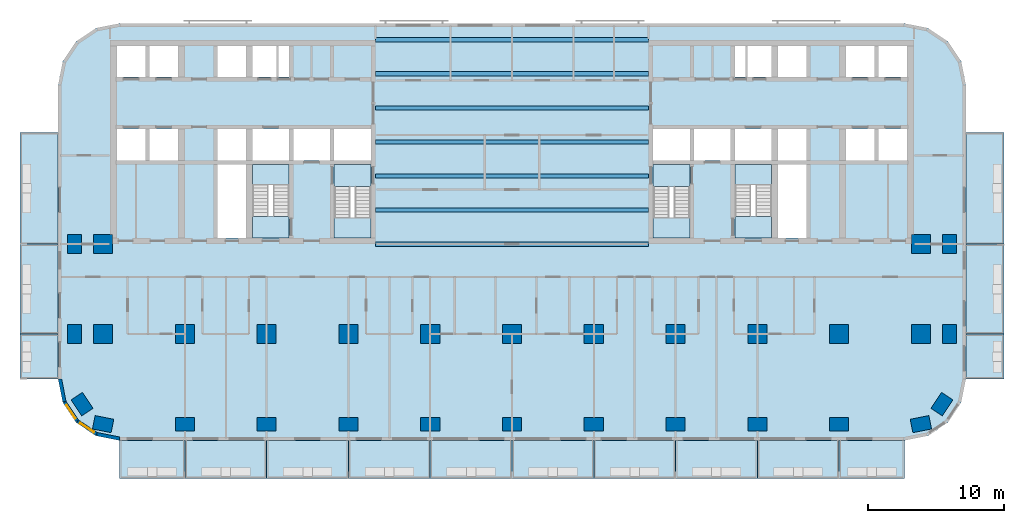
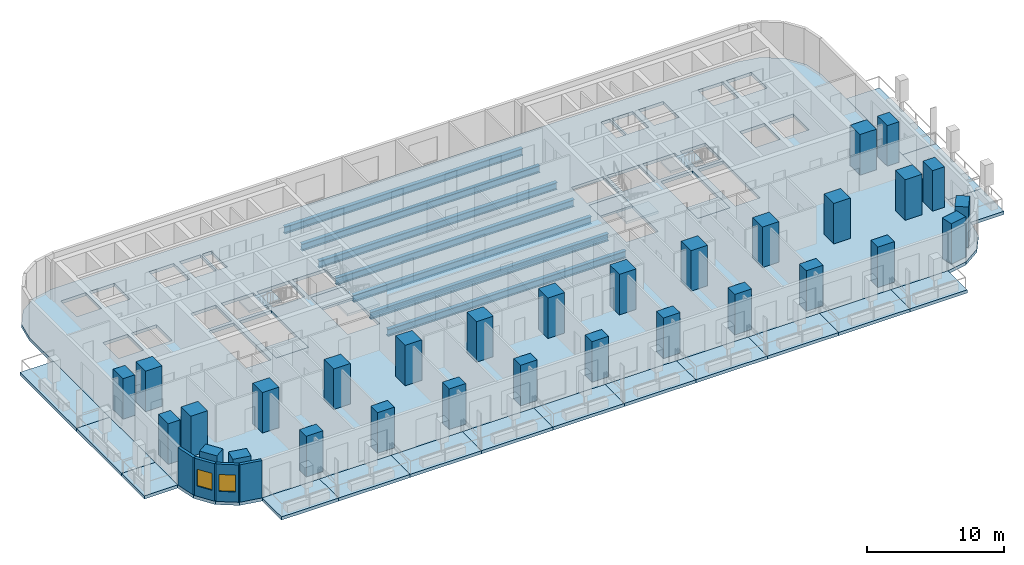
# One storey, part 1 of 13: 30 columns, 25 slabs, 7 beams, 4 walls, 2 windows, 2 openings, 4 elements without a shape of their own.
"""IFC4 building model written with IfcOpenShell, lengths in metres."""

from ifc_helpers import new_model, si_unit, direction, frame, frame_2d, origin, origin_2d, place, context, subcontext, project, spatial, polyline, rectangle, i_section, outline, extrude, material, layer, layer_set, material_profile, profile_set, type_object, element, fill, aggregate, save


model = new_model("IFC4")

# Units and contexts
model_context = context("Model", 3, precision=1e-05, world=origin(), true_north=direction((0.0, 1.0)))
body_context = subcontext(model_context, "Body", "Model", "MODEL_VIEW")
ifc_project = project(units=[si_unit("LENGTHUNIT", "METRE"), si_unit("AREAUNIT", "SQUARE_METRE"), si_unit("VOLUMEUNIT", "CUBIC_METRE"), si_unit("PLANEANGLEUNIT", "RADIAN"), si_unit("MASSUNIT", "GRAM", prefix="KILO")], contexts=[model_context])

# Site, building, storey
site_placement = place(None, origin())
site = spatial("IfcSite", under=ifc_project, at=site_placement, CompositionType="ELEMENT")
building_placement = place(site_placement, origin())
building = spatial("IfcBuilding", under=site, at=building_placement, Name="Torana Hotel and Residences", CompositionType="ELEMENT")
storey_placement = place(building_placement, frame((0.0, 0.0, 81.60009765625)))
storey = spatial("IfcBuildingStorey", under=building, at=storey_placement, Name="L20", CompositionType="ELEMENT", Elevation=81.60009765625)

# Columns
ifc_material_1 = material(Name="Concrete C70/85", Category="concrete")
ifc_material_profile_1 = material_profile(ifc_material_1, rectangle(XDim=1.39990234375, YDim=1.0, at=origin_2d()), Name="RC 1400x1000")
ifc_profile_set_1 = profile_set([ifc_material_profile_1], Name="Concrete C70/85")
column_type_1 = type_object("IfcColumnType", Name="COLUMN RC 1400x1000 C70/85", PredefinedType="COLUMN", material=ifc_profile_set_1)
for number, where, z_axis, x_axis, name in (
    (1, (-32.10009765625, -21.60009765625, 0.0), (0.0, 0.0, 1.0), (0.0, 1.0, 0.0), "Column L20"),
    (2, (-32.10009765625, -15.0, 0.0), (0.0, 0.0, 1.0), (0.0, 1.0, 0.0), "Column L20"),
    (3, (-31.5439453125, -26.73291015625, 0.0), (0.0, 0.0, 1.0), (-0.555584744817, 0.831459915646, 0.0), "Column L20"),
    (4, (-30.0, -28.199951171875, 0.0), (0.0, 0.0, 1.0), (-0.980792089743, 0.195056086032, 0.0), "Column L20"),
    (5, (-24.0, -28.199951171875, 0.0), (0.0, 0.0, 1.0), (1.0, 0.0, 0.0), "Column L20"),
    (6, (-18.0, -28.199951171875, 0.0), (0.0, 0.0, 1.0), (1.0, 0.0, 0.0), "Column L20"),
    (7, (-12.0, -28.199951171875, 0.0), (0.0, 0.0, 1.0), (1.0, 0.0, 0.0), "Column L20"),
    (8, (-6.0, -28.199951171875, 0.0), (0.0, 0.0, 1.0), (1.0, 0.0, 0.0), "Column L20"),
    (9, (0.0, -28.199951171875, 0.0), (0.0, 0.0, 1.0), (1.0, 0.0, 0.0), "Column L20"),
    (10, (6.0, -28.199951171875, 0.0), (0.0, 0.0, 1.0), (1.0, 0.0, 0.0), "Column L20"),
    (11, (12.0, -28.199951171875, 0.0), (0.0, 0.0, 1.0), (1.0, 0.0, 0.0), "Column L20"),
    (12, (18.0, -28.199951171875, 0.0), (0.0, 0.0, 1.0), (1.0, 0.0, 0.0), "Column L20"),
    (13, (24.0, -28.199951171875, 0.0), (0.0, 0.0, 1.0), (1.0, 0.0, 0.0), "Column L20"),
    (14, (30.0, -28.199951171875, 0.0), (0.0, 0.0, 1.0), (0.980792089743, 0.195056086032, 0.0), "Column L20"),
    (15, (31.5439453125, -26.73291015625, 0.0), (0.0, 0.0, 1.0), (0.555584744817, 0.831459915646, 0.0), "Column L20"),
    (16, (32.10009765625, -21.60009765625, 0.0), (0.0, 0.0, 1.0), (0.0, 1.0, 0.0), "Column L20"),
    (17, (32.10009765625, -15.0, 0.0), (0.0, 0.0, 1.0), (0.0, 1.0, 0.0), "Column L20"),
):
    element("IfcColumn", number, at=place(storey_placement, frame(where, z_axis=z_axis, x_axis=x_axis)), inside=storey, type_object=column_type_1, Name=name, PredefinedType="COLUMN", context=body_context, shape_type="SweptSolid", body=[
        extrude(rectangle(XDim=1.39990234375, YDim=1.0, at=origin_2d()), origin(), (0.0, 0.0, 1.0), 3.599853515625),
    ])
ifc_material_2 = material(Name="Concrete C70/85", Category="concrete")
ifc_material_profile_2 = material_profile(ifc_material_2, rectangle(XDim=1.39990234375, YDim=1.39990234375, at=origin_2d()), Name="RC 1400x1400")
ifc_profile_set_2 = profile_set([ifc_material_profile_2], Name="Concrete C70/85")
column_type_2 = type_object("IfcColumnType", Name="COLUMN RC 1400x1400 C70/85", PredefinedType="COLUMN", material=ifc_profile_set_2)
for number, where, z_axis, x_axis, name in (
    (18, (-30.0, -21.60009765625, 0.0), (0.0, 0.0, 1.0), (1.0, 0.0, 0.0), "Column L20"),
    (19, (-30.0, -15.0, 0.0), (0.0, 0.0, 1.0), (1.0, 0.0, 0.0), "Column L20"),
    (20, (-24.0, -21.60009765625, 0.0), (0.0, 0.0, 1.0), (1.0, 0.0, 0.0), "Column L20"),
    (21, (-18.0, -21.60009765625, 0.0), (0.0, 0.0, 1.0), (1.0, 0.0, 0.0), "Column L20"),
    (22, (-12.0, -21.60009765625, 0.0), (0.0, 0.0, 1.0), (1.0, 0.0, 0.0), "Column L20"),
    (23, (-6.0, -21.60009765625, 0.0), (0.0, 0.0, 1.0), (1.0, 0.0, 0.0), "Column L20"),
    (24, (0.0, -21.60009765625, 0.0), (0.0, 0.0, 1.0), (1.0, 0.0, 0.0), "Column L20"),
    (25, (6.0, -21.60009765625, 0.0), (0.0, 0.0, 1.0), (1.0, 0.0, 0.0), "Column L20"),
    (26, (12.0, -21.60009765625, 0.0), (0.0, 0.0, 1.0), (1.0, 0.0, 0.0), "Column L20"),
    (27, (18.0, -21.60009765625, 0.0), (0.0, 0.0, 1.0), (1.0, 0.0, 0.0), "Column L20"),
    (28, (24.0, -21.60009765625, 0.0), (0.0, 0.0, 1.0), (1.0, 0.0, 0.0), "Column L20"),
    (29, (30.0, -21.60009765625, 0.0), (0.0, 0.0, 1.0), (1.0, 0.0, 0.0), "Column L20"),
    (30, (30.0, -15.0, 0.0), (0.0, 0.0, 1.0), (1.0, 0.0, 0.0), "Column L20"),
):
    element("IfcColumn", number, at=place(storey_placement, frame(where, z_axis=z_axis, x_axis=x_axis)), inside=storey, type_object=column_type_2, Name=name, PredefinedType="COLUMN", context=body_context, shape_type="SweptSolid", body=[
        extrude(rectangle(XDim=1.39990234375, YDim=1.39990234375, at=origin_2d()), origin(), (0.0, 0.0, 1.0), 3.599853515625),
    ])

# Beams
ifc_material_3 = material(Name="Steel S355", Category="steel")
ifc_material_profile_3 = material_profile(ifc_material_3, i_section(OverallWidth=0.311279296875, OverallDepth=0.6357421875, WebThickness=0.018310546875, FlangeThickness=0.031494140625, FilletRadius=0.0166015625, at=origin_2d()), Name="610x305x238 UB")
ifc_profile_set_3 = profile_set([ifc_material_profile_3], Name="Steel S355")
beam_type = type_object("IfcBeamType", Name="STEEL GIRDER 610x305x238 UB", PredefinedType="BEAM", material=ifc_profile_set_3)
for number, where, z_axis, x_axis, name in (
    (31, (-10.0, -15.0, -0.597900390625), (1.0, 0.0, 0.0), (0.0, 1.0, 0.0), "Floor girder"),
    (32, (-10.0, -12.5, -0.597900390625), (1.0, 0.0, 0.0), (0.0, 1.0, 0.0), "Floor girder"),
    (33, (-10.0, -10.0, -0.597900390625), (1.0, 0.0, 0.0), (0.0, 1.0, 0.0), "Floor girder"),
    (34, (-10.0, -7.5, -0.597900390625), (1.0, 0.0, 0.0), (0.0, 1.0, 0.0), "Floor girder"),
    (35, (-10.0, -5.0, -0.597900390625), (1.0, 0.0, 0.0), (0.0, 1.0, 0.0), "Floor girder"),
    (36, (-10.0, -2.5, -0.597900390625), (1.0, 0.0, 0.0), (0.0, 1.0, 0.0), "Floor girder"),
    (37, (-10.0, 0.0, -0.597900390625), (1.0, 0.0, 0.0), (0.0, 1.0, 0.0), "Floor girder"),
):
    element("IfcBeam", number, at=place(storey_placement, frame(where, z_axis=z_axis, x_axis=x_axis)), inside=storey, type_object=beam_type, Name=name, PredefinedType="BEAM", context=body_context, shape_type="SweptSolid", body=[
        extrude(i_section(OverallWidth=0.311279296875, OverallDepth=0.6357421875, WebThickness=0.018310546875, FlangeThickness=0.031494140625, FilletRadius=0.0166015625, at=origin_2d()), origin(), (0.0, 0.0, 1.0), 20.0),
    ])

# Slabs
ifc_material_4 = material(Name="Concrete C40/50", Category="concrete")
ifc_layer_1 = layer(ifc_material_4, 0.280029296875)
ifc_layer_set_1 = layer_set([ifc_layer_1], Name="BAL1 BALCONY SLAB 280")
slab_type_1 = type_object("IfcSlabType", Name="BAL1 BALCONY SLAB 280", PredefinedType="USERDEFINED", material=ifc_layer_set_1)
slab_1_placement = place(storey_placement, frame((0.0, 0.0, -0.280029296875)))
element("IfcSlab", 38, at=slab_1_placement, inside=storey, type_object=slab_type_1, Name="Balcony 01", ObjectType="BALCONY", PredefinedType="USERDEFINED", context=body_context, shape_type="SweptSolid", body=[
    extrude(outline(polyline([(-28.800048828125, -32.199951171875), (-24.0, -32.199951171875), (-24.0, -29.39990234375), (-28.800048828125, -29.39990234375), (-28.800048828125, -32.199951171875)])), origin(), (0.0, 0.0, 1.0), 0.280029296875),
])
slab_2_placement = place(storey_placement, frame((0.0, 0.0, -0.280029296875)))
element("IfcSlab", 39, at=slab_2_placement, inside=storey, type_object=slab_type_1, Name="Balcony 02", ObjectType="BALCONY", PredefinedType="USERDEFINED", context=body_context, shape_type="SweptSolid", body=[
    extrude(outline(polyline([(-24.0, -32.199951171875), (-18.0, -32.199951171875), (-18.0, -29.39990234375), (-24.0, -29.39990234375), (-24.0, -32.199951171875)])), origin(), (0.0, 0.0, 1.0), 0.280029296875),
])
slab_3_placement = place(storey_placement, frame((0.0, 0.0, -0.280029296875)))
element("IfcSlab", 40, at=slab_3_placement, inside=storey, type_object=slab_type_1, Name="Balcony 03", ObjectType="BALCONY", PredefinedType="USERDEFINED", context=body_context, shape_type="SweptSolid", body=[
    extrude(outline(polyline([(-18.0, -32.199951171875), (-12.0, -32.199951171875), (-12.0, -29.39990234375), (-18.0, -29.39990234375), (-18.0, -32.199951171875)])), origin(), (0.0, 0.0, 1.0), 0.280029296875),
])
slab_4_placement = place(storey_placement, frame((0.0, 0.0, -0.280029296875)))
element("IfcSlab", 41, at=slab_4_placement, inside=storey, type_object=slab_type_1, Name="Balcony 04", ObjectType="BALCONY", PredefinedType="USERDEFINED", context=body_context, shape_type="SweptSolid", body=[
    extrude(outline(polyline([(-12.0, -32.199951171875), (-6.0, -32.199951171875), (-6.0, -29.39990234375), (-12.0, -29.39990234375), (-12.0, -32.199951171875)])), origin(), (0.0, 0.0, 1.0), 0.280029296875),
])
slab_5_placement = place(storey_placement, frame((0.0, 0.0, -0.280029296875)))
element("IfcSlab", 42, at=slab_5_placement, inside=storey, type_object=slab_type_1, Name="Balcony 05", ObjectType="BALCONY", PredefinedType="USERDEFINED", context=body_context, shape_type="SweptSolid", body=[
    extrude(outline(polyline([(-6.0, -32.199951171875), (0.0, -32.199951171875), (0.0, -29.39990234375), (-6.0, -29.39990234375), (-6.0, -32.199951171875)])), origin(), (0.0, 0.0, 1.0), 0.280029296875),
])
slab_6_placement = place(storey_placement, frame((0.0, 0.0, -0.280029296875)))
element("IfcSlab", 43, at=slab_6_placement, inside=storey, type_object=slab_type_1, Name="Balcony 06", ObjectType="BALCONY", PredefinedType="USERDEFINED", context=body_context, shape_type="SweptSolid", body=[
    extrude(outline(polyline([(0.0, -32.199951171875), (6.0, -32.199951171875), (6.0, -29.39990234375), (0.0, -29.39990234375), (0.0, -32.199951171875)])), origin(), (0.0, 0.0, 1.0), 0.280029296875),
])
slab_7_placement = place(storey_placement, frame((0.0, 0.0, -0.280029296875)))
element("IfcSlab", 44, at=slab_7_placement, inside=storey, type_object=slab_type_1, Name="Balcony 07", ObjectType="BALCONY", PredefinedType="USERDEFINED", context=body_context, shape_type="SweptSolid", body=[
    extrude(outline(polyline([(6.0, -32.199951171875), (12.0, -32.199951171875), (12.0, -29.39990234375), (6.0, -29.39990234375), (6.0, -32.199951171875)])), origin(), (0.0, 0.0, 1.0), 0.280029296875),
])
slab_8_placement = place(storey_placement, frame((0.0, 0.0, -0.280029296875)))
element("IfcSlab", 45, at=slab_8_placement, inside=storey, type_object=slab_type_1, Name="Balcony 08", ObjectType="BALCONY", PredefinedType="USERDEFINED", context=body_context, shape_type="SweptSolid", body=[
    extrude(outline(polyline([(12.0, -32.199951171875), (18.0, -32.199951171875), (18.0, -29.39990234375), (12.0, -29.39990234375), (12.0, -32.199951171875)])), origin(), (0.0, 0.0, 1.0), 0.280029296875),
])
slab_9_placement = place(storey_placement, frame((0.0, 0.0, -0.280029296875)))
element("IfcSlab", 46, at=slab_9_placement, inside=storey, type_object=slab_type_1, Name="Balcony 09", ObjectType="BALCONY", PredefinedType="USERDEFINED", context=body_context, shape_type="SweptSolid", body=[
    extrude(outline(polyline([(18.0, -32.199951171875), (24.0, -32.199951171875), (24.0, -29.39990234375), (18.0, -29.39990234375), (18.0, -32.199951171875)])), origin(), (0.0, 0.0, 1.0), 0.280029296875),
])
slab_10_placement = place(storey_placement, frame((0.0, 0.0, -0.280029296875)))
element("IfcSlab", 47, at=slab_10_placement, inside=storey, type_object=slab_type_1, Name="Balcony 10", ObjectType="BALCONY", PredefinedType="USERDEFINED", context=body_context, shape_type="SweptSolid", body=[
    extrude(outline(polyline([(24.0, -32.199951171875), (28.800048828125, -32.199951171875), (28.800048828125, -29.39990234375), (24.0, -29.39990234375), (24.0, -32.199951171875)])), origin(), (0.0, 0.0, 1.0), 0.280029296875),
])
slab_11_placement = place(storey_placement, frame((0.0, 0.0, -0.280029296875)))
element("IfcSlab", 48, at=slab_11_placement, inside=storey, type_object=slab_type_1, Name="Balcony 11", ObjectType="BALCONY", PredefinedType="USERDEFINED", context=body_context, shape_type="SweptSolid", body=[
    extrude(outline(polyline([(-36.10009765625, -24.89990234375), (-33.300048828125, -24.89990234375), (-33.300048828125, -21.60009765625), (-36.10009765625, -21.60009765625), (-36.10009765625, -24.89990234375)])), origin(), (0.0, 0.0, 1.0), 0.280029296875),
])
slab_12_placement = place(storey_placement, frame((0.0, 0.0, -0.280029296875)))
element("IfcSlab", 49, at=slab_12_placement, inside=storey, type_object=slab_type_1, Name="Balcony 12", ObjectType="BALCONY", PredefinedType="USERDEFINED", context=body_context, shape_type="SweptSolid", body=[
    extrude(outline(polyline([(-36.10009765625, -21.60009765625), (-33.300048828125, -21.60009765625), (-33.300048828125, -15.0), (-36.10009765625, -15.0), (-36.10009765625, -21.60009765625)])), origin(), (0.0, 0.0, 1.0), 0.280029296875),
])
slab_13_placement = place(storey_placement, frame((0.0, 0.0, -0.280029296875)))
element("IfcSlab", 50, at=slab_13_placement, inside=storey, type_object=slab_type_1, Name="Balcony 13", ObjectType="BALCONY", PredefinedType="USERDEFINED", context=body_context, shape_type="SweptSolid", body=[
    extrude(outline(polyline([(-36.10009765625, -15.0), (-33.300048828125, -15.0), (-33.300048828125, -6.800048828125), (-36.10009765625, -6.800048828125), (-36.10009765625, -15.0)])), origin(), (0.0, 0.0, 1.0), 0.280029296875),
])
slab_14_placement = place(storey_placement, frame((0.0, 0.0, -0.280029296875)))
element("IfcSlab", 51, at=slab_14_placement, inside=storey, type_object=slab_type_1, Name="Balcony 14", ObjectType="BALCONY", PredefinedType="USERDEFINED", context=body_context, shape_type="SweptSolid", body=[
    extrude(outline(polyline([(33.300048828125, -24.89990234375), (36.10009765625, -24.89990234375), (36.10009765625, -21.60009765625), (33.300048828125, -21.60009765625), (33.300048828125, -24.89990234375)])), origin(), (0.0, 0.0, 1.0), 0.280029296875),
])
slab_15_placement = place(storey_placement, frame((0.0, 0.0, -0.280029296875)))
element("IfcSlab", 52, at=slab_15_placement, inside=storey, type_object=slab_type_1, Name="Balcony 15", ObjectType="BALCONY", PredefinedType="USERDEFINED", context=body_context, shape_type="SweptSolid", body=[
    extrude(outline(polyline([(33.300048828125, -21.60009765625), (36.10009765625, -21.60009765625), (36.10009765625, -15.0), (33.300048828125, -15.0), (33.300048828125, -21.60009765625)])), origin(), (0.0, 0.0, 1.0), 0.280029296875),
])
slab_16_placement = place(storey_placement, frame((0.0, 0.0, -0.280029296875)))
element("IfcSlab", 53, at=slab_16_placement, inside=storey, type_object=slab_type_1, Name="Balcony 16", ObjectType="BALCONY", PredefinedType="USERDEFINED", context=body_context, shape_type="SweptSolid", body=[
    extrude(outline(polyline([(33.300048828125, -15.0), (36.10009765625, -15.0), (36.10009765625, -6.800048828125), (33.300048828125, -6.800048828125), (33.300048828125, -15.0)])), origin(), (0.0, 0.0, 1.0), 0.280029296875),
])
ifc_material_5 = material(Name="Concrete C40/50", Category="concrete")
ifc_layer_2 = layer(ifc_material_5, 0.280029296875)
ifc_layer_set_2 = layer_set([ifc_layer_2], Name="FLOOR SLAB PT 280")
slab_type_2 = type_object("IfcSlabType", Name="FLOOR SLAB PT 280", PredefinedType="FLOOR", material=ifc_layer_set_2)
slab_17_placement = place(storey_placement, frame((0.0, 0.0, -0.280029296875)))
element("IfcSlab", 54, at=slab_17_placement, inside=storey, type_object=slab_type_2, Name="Floor slab", PredefinedType="FLOOR", context=body_context, shape_type="SweptSolid", body=[
    extrude(outline(polyline([(33.300048828125, -3.300048828125), (32.95751953125, -1.577880859375), (31.98193359375, -0.117919921875), (30.522216796875, 0.857421875), (28.800048828125, 1.199951171875), (-28.800048828125, 1.199951171875), (-30.522216796875, 0.857421875), (-31.98193359375, -0.117919921875), (-32.95751953125, -1.577880859375), (-33.300048828125, -3.300048828125), (-33.300048828125, -24.89990234375), (-32.95751953125, -26.6220703125), (-31.98193359375, -28.08203125), (-30.522216796875, -29.0576171875), (-28.800048828125, -29.39990234375), (28.800048828125, -29.39990234375), (30.522216796875, -29.0576171875), (31.98193359375, -28.08203125), (32.95751953125, -26.6220703125), (33.300048828125, -24.89990234375), (33.300048828125, -3.300048828125)]), holes=[polyline([(-13.050048828125, -14.550048828125), (-10.35009765625, -14.550048828125), (-10.35009765625, -9.14990234375), (-13.050048828125, -9.14990234375), (-13.050048828125, -14.550048828125)]), polyline([(-19.050048828125, -14.550048828125), (-16.35009765625, -14.550048828125), (-16.35009765625, -9.14990234375), (-19.050048828125, -9.14990234375), (-19.050048828125, -14.550048828125)]), polyline([(-17.125, -2.75), (-16.35009765625, -2.75), (-16.35009765625, -0.449951171875), (-17.125, -0.449951171875), (-17.125, -2.75)]), polyline([(-19.050048828125, -2.75), (-17.27490234375, -2.75), (-17.27490234375, -0.449951171875), (-19.050048828125, -0.449951171875), (-19.050048828125, -2.75)]), polyline([(-26.60009765625, -2.75), (-24.5, -2.75), (-24.5, -0.449951171875), (-26.60009765625, -0.449951171875), (-26.60009765625, -2.75)]), polyline([(-29.0, -2.75), (-26.89990234375, -2.75), (-26.89990234375, -0.449951171875), (-29.0, -0.449951171875), (-29.0, -2.75)]), polyline([(-26.60009765625, -8.85009765625), (-24.5, -8.85009765625), (-24.5, -6.550048828125), (-26.60009765625, -6.550048828125), (-26.60009765625, -8.85009765625)]), polyline([(-29.0, -8.85009765625), (-26.89990234375, -8.85009765625), (-26.89990234375, -6.550048828125), (-29.0, -6.550048828125), (-29.0, -8.85009765625)]), polyline([(-21.60009765625, -2.75), (-19.5, -2.75), (-19.5, -0.449951171875), (-21.60009765625, -0.449951171875), (-21.60009765625, -2.75)]), polyline([(-21.60009765625, -8.85009765625), (-19.5, -8.85009765625), (-19.5, -6.550048828125), (-21.60009765625, -6.550048828125), (-21.60009765625, -8.85009765625)]), polyline([(-13.050048828125, -8.85009765625), (-10.35009765625, -8.85009765625), (-10.35009765625, -6.550048828125), (-13.050048828125, -6.550048828125), (-13.050048828125, -8.85009765625)]), polyline([(-16.050048828125, -8.85009765625), (-13.35009765625, -8.85009765625), (-13.35009765625, -6.550048828125), (-16.050048828125, -6.550048828125), (-16.050048828125, -8.85009765625)]), polyline([(-19.050048828125, -8.85009765625), (-16.35009765625, -8.85009765625), (-16.35009765625, -6.550048828125), (-19.050048828125, -6.550048828125), (-19.050048828125, -8.85009765625)]), polyline([(-21.60009765625, -14.550048828125), (-19.5, -14.550048828125), (-19.5, -9.14990234375), (-21.60009765625, -9.14990234375), (-21.60009765625, -14.550048828125)]), polyline([(10.35009765625, -14.550048828125), (13.050048828125, -14.550048828125), (13.050048828125, -9.14990234375), (10.35009765625, -9.14990234375), (10.35009765625, -14.550048828125)]), polyline([(16.35009765625, -14.550048828125), (19.050048828125, -14.550048828125), (19.050048828125, -9.14990234375), (16.35009765625, -9.14990234375), (16.35009765625, -14.550048828125)]), polyline([(16.35009765625, -2.75), (17.125, -2.75), (17.125, -0.449951171875), (16.35009765625, -0.449951171875), (16.35009765625, -2.75)]), polyline([(17.27490234375, -2.75), (19.050048828125, -2.75), (19.050048828125, -0.449951171875), (17.27490234375, -0.449951171875), (17.27490234375, -2.75)]), polyline([(24.5, -2.75), (26.60009765625, -2.75), (26.60009765625, -0.449951171875), (24.5, -0.449951171875), (24.5, -2.75)]), polyline([(26.89990234375, -2.75), (29.0, -2.75), (29.0, -0.449951171875), (26.89990234375, -0.449951171875), (26.89990234375, -2.75)]), polyline([(24.5, -8.85009765625), (26.60009765625, -8.85009765625), (26.60009765625, -6.550048828125), (24.5, -6.550048828125), (24.5, -8.85009765625)]), polyline([(26.89990234375, -8.85009765625), (29.0, -8.85009765625), (29.0, -6.550048828125), (26.89990234375, -6.550048828125), (26.89990234375, -8.85009765625)]), polyline([(19.5, -2.75), (21.60009765625, -2.75), (21.60009765625, -0.449951171875), (19.5, -0.449951171875), (19.5, -2.75)]), polyline([(19.5, -8.85009765625), (21.60009765625, -8.85009765625), (21.60009765625, -6.550048828125), (19.5, -6.550048828125), (19.5, -8.85009765625)]), polyline([(10.35009765625, -8.85009765625), (13.050048828125, -8.85009765625), (13.050048828125, -6.550048828125), (10.35009765625, -6.550048828125), (10.35009765625, -8.85009765625)]), polyline([(13.35009765625, -8.85009765625), (16.050048828125, -8.85009765625), (16.050048828125, -6.550048828125), (13.35009765625, -6.550048828125), (13.35009765625, -8.85009765625)]), polyline([(16.35009765625, -8.85009765625), (19.050048828125, -8.85009765625), (19.050048828125, -6.550048828125), (16.35009765625, -6.550048828125), (16.35009765625, -8.85009765625)]), polyline([(19.5, -14.550048828125), (21.60009765625, -14.550048828125), (21.60009765625, -9.14990234375), (19.5, -9.14990234375), (19.5, -14.550048828125)])]), origin(), (0.0, 0.0, 1.0), 0.280029296875),
])

# Stair, slabs
ifc_material_6 = material(Name="Concrete C40/50 precast", Category="concrete")
stair_type_1 = type_object("IfcStairType", Name="STAIR ST1 HALF TURN 1200", PredefinedType="HALF_TURN_STAIR", material=ifc_material_6)
stair_1_placement = place(storey_placement, origin())
stair_1 = element("IfcStair", 55, at=stair_1_placement, inside=storey, type_object=stair_type_1, Name="Stair ST1 L20", PredefinedType="HALF_TURN_STAIR")
ifc_material_7 = material(Name="Concrete C40/50 precast", Category="concrete")
ifc_layer_3 = layer(ifc_material_7, 0.199951171875)
ifc_layer_set_3 = layer_set([ifc_layer_3], Name="STAIR LANDING 200")
slab_type_3 = type_object("IfcSlabType", Name="STAIR LANDING 200", PredefinedType="LANDING", material=ifc_layer_set_3)
slab_18_placement = place(storey_placement, frame((0.0, 0.0, 1.599853515625)))
slab_18 = element("IfcSlab", 56, at=slab_18_placement, type_object=slab_type_3, Name="ST1 landing 1", PredefinedType="LANDING", context=body_context, shape_type="SweptSolid", body=[
    extrude(outline(polyline([(-13.050048828125, -14.550048828125), (-10.35009765625, -14.550048828125), (-10.35009765625, -13.090087890625), (-13.050048828125, -13.090087890625), (-13.050048828125, -14.550048828125)])), origin(), (0.0, 0.0, 1.0), 0.199951171875),
])
slab_19_placement = place(storey_placement, frame((0.0, 0.0, -0.2001953125)))
slab_19 = element("IfcSlab", 57, at=slab_19_placement, type_object=slab_type_3, Name="ST1 landing 2", PredefinedType="LANDING", context=body_context, shape_type="SweptSolid", body=[
    extrude(outline(polyline([(-13.050048828125, -10.75), (-10.35009765625, -10.75), (-10.35009765625, -9.14990234375), (-13.050048828125, -9.14990234375), (-13.050048828125, -10.75)])), origin(), (0.0, 0.0, 1.0), 0.2001953125),
])
aggregate(stair_1, [slab_18, slab_19])

ifc_material_8 = material(Name="Concrete C40/50 precast", Category="concrete")
stair_type_2 = type_object("IfcStairType", Name="STAIR ST2 HALF TURN 1200", PredefinedType="HALF_TURN_STAIR", material=ifc_material_8)
stair_2_placement = place(storey_placement, origin())
stair_2 = element("IfcStair", 58, at=stair_2_placement, inside=storey, type_object=stair_type_2, Name="Stair ST2 L20", PredefinedType="HALF_TURN_STAIR")
slab_20_placement = place(storey_placement, frame((0.0, 0.0, 1.599853515625)))
slab_20 = element("IfcSlab", 59, at=slab_20_placement, type_object=slab_type_3, Name="ST2 landing 1", PredefinedType="LANDING", context=body_context, shape_type="SweptSolid", body=[
    extrude(outline(polyline([(-19.050048828125, -10.610107421875), (-16.35009765625, -10.610107421875), (-16.35009765625, -9.14990234375), (-19.050048828125, -9.14990234375), (-19.050048828125, -10.610107421875)])), origin(), (0.0, 0.0, 1.0), 0.199951171875),
])
slab_21_placement = place(storey_placement, frame((0.0, 0.0, -0.2001953125)))
slab_21 = element("IfcSlab", 60, at=slab_21_placement, type_object=slab_type_3, Name="ST2 landing 2", PredefinedType="LANDING", context=body_context, shape_type="SweptSolid", body=[
    extrude(outline(polyline([(-19.050048828125, -14.550048828125), (-16.35009765625, -14.550048828125), (-16.35009765625, -12.949951171875), (-19.050048828125, -12.949951171875), (-19.050048828125, -14.550048828125)])), origin(), (0.0, 0.0, 1.0), 0.2001953125),
])
aggregate(stair_2, [slab_20, slab_21])

ifc_material_9 = material(Name="Concrete C40/50 precast", Category="concrete")
stair_type_3 = type_object("IfcStairType", Name="STAIR ST3 HALF TURN 1200", PredefinedType="HALF_TURN_STAIR", material=ifc_material_9)
stair_3_placement = place(storey_placement, origin())
stair_3 = element("IfcStair", 61, at=stair_3_placement, inside=storey, type_object=stair_type_3, Name="Stair ST3 L20", PredefinedType="HALF_TURN_STAIR")
slab_22_placement = place(storey_placement, frame((0.0, 0.0, 1.599853515625)))
slab_22 = element("IfcSlab", 62, at=slab_22_placement, type_object=slab_type_3, Name="ST3 landing 1", PredefinedType="LANDING", context=body_context, shape_type="SweptSolid", body=[
    extrude(outline(polyline([(10.35009765625, -14.550048828125), (13.050048828125, -14.550048828125), (13.050048828125, -13.090087890625), (10.35009765625, -13.090087890625), (10.35009765625, -14.550048828125)])), origin(), (0.0, 0.0, 1.0), 0.199951171875),
])
slab_23_placement = place(storey_placement, frame((0.0, 0.0, -0.2001953125)))
slab_23 = element("IfcSlab", 63, at=slab_23_placement, type_object=slab_type_3, Name="ST3 landing 2", PredefinedType="LANDING", context=body_context, shape_type="SweptSolid", body=[
    extrude(outline(polyline([(10.35009765625, -10.75), (13.050048828125, -10.75), (13.050048828125, -9.14990234375), (10.35009765625, -9.14990234375), (10.35009765625, -10.75)])), origin(), (0.0, 0.0, 1.0), 0.2001953125),
])
aggregate(stair_3, [slab_22, slab_23])

ifc_material_10 = material(Name="Concrete C40/50 precast", Category="concrete")
stair_type_4 = type_object("IfcStairType", Name="STAIR ST4 HALF TURN 1200", PredefinedType="HALF_TURN_STAIR", material=ifc_material_10)
stair_4_placement = place(storey_placement, origin())
stair_4 = element("IfcStair", 64, at=stair_4_placement, inside=storey, type_object=stair_type_4, Name="Stair ST4 L20", PredefinedType="HALF_TURN_STAIR")
slab_24_placement = place(storey_placement, frame((0.0, 0.0, 1.599853515625)))
slab_24 = element("IfcSlab", 65, at=slab_24_placement, type_object=slab_type_3, Name="ST4 landing 1", PredefinedType="LANDING", context=body_context, shape_type="SweptSolid", body=[
    extrude(outline(polyline([(16.35009765625, -10.610107421875), (19.050048828125, -10.610107421875), (19.050048828125, -9.14990234375), (16.35009765625, -9.14990234375), (16.35009765625, -10.610107421875)])), origin(), (0.0, 0.0, 1.0), 0.199951171875),
])
slab_25_placement = place(storey_placement, frame((0.0, 0.0, -0.2001953125)))
slab_25 = element("IfcSlab", 66, at=slab_25_placement, type_object=slab_type_3, Name="ST4 landing 2", PredefinedType="LANDING", context=body_context, shape_type="SweptSolid", body=[
    extrude(outline(polyline([(16.35009765625, -14.550048828125), (19.050048828125, -14.550048828125), (19.050048828125, -12.949951171875), (16.35009765625, -12.949951171875), (16.35009765625, -14.550048828125)])), origin(), (0.0, 0.0, 1.0), 0.2001953125),
])
aggregate(stair_4, [slab_24, slab_25])

# Wall
ifc_material_11 = material(Name="Black aluminium composite panel", Category="aluminium")
ifc_layer_4 = layer(ifc_material_11, 0.00390625, Name="Cladding", Category="cladding")
ifc_material_12 = material(Name="Ventilated air cavity")
ifc_layer_5 = layer(ifc_material_12, 0.0400390625, Name="Ventilated cavity", Category="cavity")
ifc_material_13 = material(Name="Mineral wool insulation")
ifc_layer_6 = layer(ifc_material_13, 0.090087890625, Name="Insulation", Category="insulation")
ifc_material_14 = material(Name="Steel S280GD", Category="steel")
ifc_layer_7 = layer(ifc_material_14, 0.092041015625, Name="Steel stud frame", Category="structure")
ifc_material_15 = material(Name="Fire rated plasterboard")
ifc_layer_8 = layer(ifc_material_15, 0.011962890625, Name="Inner board", Category="finish")
ifc_layer_9 = layer(ifc_material_15, 0.011962890625, Name="Second board", Category="finish")
ifc_layer_set_4 = layer_set([ifc_layer_4, ifc_layer_5, ifc_layer_6, ifc_layer_7, ifc_layer_8, ifc_layer_9], Name="EW1 EXTERNAL WALL BLACK METAL CLAD 250")
wall_type = type_object("IfcWallType", Name="EW1 EXTERNAL WALL BLACK METAL CLAD 250", PredefinedType="SOLIDWALL", material=ifc_layer_set_4)
wall_1_placement = place(storey_placement, frame((-33.172607421875, -24.89990234375, 0.0), z_axis=(0.0, 0.0, 1.0), x_axis=(0.195166572128, -0.980770110232, 0.0)))
element("IfcWall", 67, at=wall_1_placement, inside=storey, type_object=wall_type, Name="External wall L20 e0.10", PredefinedType="SOLIDWALL", context=body_context, shape_type="SweptSolid", body=[
    extrude(rectangle(XDim=1.68115234375, YDim=0.25, at=frame_2d((0.840576171875, 0.0))), origin(), (0.0, 0.0, 1.0), 3.31982421875),
])

# Wall, opening, window
wall_2_placement = place(storey_placement, frame((-32.825927734375, -26.593994140625, 0.0), z_axis=(0.0, 0.0, 1.0), x_axis=(0.55555029066, -0.831482937015, 0.0)))
wall_2 = element("IfcWall", 68, at=wall_2_placement, inside=storey, type_object=wall_type, Name="External wall L20 e0.11", PredefinedType="SOLIDWALL", context=body_context, shape_type="SweptSolid", body=[
    extrude(rectangle(XDim=1.65625, YDim=0.25, at=frame_2d((0.828125, 0.0))), origin(), (0.0, 0.0, 1.0), 3.31982421875),
])
opening_1_placement = place(wall_2_placement, frame((0.228271484375, 0.0, 0.89990234375)))
opening_1 = element("IfcOpeningElement", 69, at=opening_1_placement, cuts=wall_2, Name="Opening W5", PredefinedType="OPENING", context=body_context, shape_type="SweptSolid", body=[
    extrude(rectangle(XDim=1.199951171875, YDim=1.5, at=frame_2d((0.60009765625, 0.75))), frame((0.0, 0.135009765625, 0.0), z_axis=(0.0, -1.0, 0.0), x_axis=(1.0, 0.0, 0.0)), (0.0, 0.0, 1.0), 0.27001953125),
])
ifc_material_16 = material(Name="Dark glass in black aluminium frame", Category="aluminium")
window_type = type_object("IfcWindowType", Name="W5 CORNER FACET WINDOW 1200x1500", PartitioningType="SINGLE_PANEL", PredefinedType="WINDOW", material=ifc_material_16)
window_1_placement = place(opening_1_placement, origin())
window_1 = element("IfcWindow", 70, at=window_1_placement, inside=storey, type_object=window_type, Name="Window L20 e0.11", OverallHeight=1.5, OverallWidth=1.199951171875, PartitioningType="SINGLE_PANEL", PredefinedType="WINDOW", context=body_context, shape_type="SweptSolid", body=[
    extrude(rectangle(XDim=1.199951171875, YDim=1.5, at=frame_2d((0.60009765625, 0.75))), frame((0.0, 0.030029296875, 0.0), z_axis=(0.0, -1.0, 0.0), x_axis=(1.0, 0.0, 0.0)), (0.0, 0.0, 1.0), 0.06005859375),
])
fill(opening_1, window_1)

wall_3_placement = place(storey_placement, frame((-31.87109375, -28.005615234375, 0.0), z_axis=(0.0, 0.0, 1.0), x_axis=(0.831482937015, -0.55555029066, 0.0)))
wall_3 = element("IfcWall", 71, at=wall_3_placement, inside=storey, type_object=wall_type, Name="External wall L20 e0.12", PredefinedType="SOLIDWALL", context=body_context, shape_type="SweptSolid", body=[
    extrude(rectangle(XDim=1.65625, YDim=0.25, at=frame_2d((0.828125, 0.0))), origin(), (0.0, 0.0, 1.0), 3.31982421875),
])
opening_2_placement = place(wall_3_placement, frame((0.228271484375, 0.0, 0.89990234375)))
opening_2 = element("IfcOpeningElement", 72, at=opening_2_placement, cuts=wall_3, Name="Opening W5", PredefinedType="OPENING", context=body_context, shape_type="SweptSolid", body=[
    extrude(rectangle(XDim=1.199951171875, YDim=1.5, at=frame_2d((0.60009765625, 0.75))), frame((0.0, 0.135009765625, 0.0), z_axis=(0.0, -1.0, 0.0), x_axis=(1.0, 0.0, 0.0)), (0.0, 0.0, 1.0), 0.27001953125),
])
window_2_placement = place(opening_2_placement, origin())
window_2 = element("IfcWindow", 73, at=window_2_placement, inside=storey, type_object=window_type, Name="Window L20 e0.12", OverallHeight=1.5, OverallWidth=1.199951171875, PartitioningType="SINGLE_PANEL", PredefinedType="WINDOW", context=body_context, shape_type="SweptSolid", body=[
    extrude(rectangle(XDim=1.199951171875, YDim=1.5, at=frame_2d((0.60009765625, 0.75))), frame((0.0, 0.030029296875, 0.0), z_axis=(0.0, -1.0, 0.0), x_axis=(1.0, 0.0, 0.0)), (0.0, 0.0, 1.0), 0.06005859375),
])
fill(opening_2, window_2)

# Wall
wall_4_placement = place(storey_placement, frame((-30.448974609375, -28.944580078125, 0.0), z_axis=(0.0, 0.0, 1.0), x_axis=(0.980775640221, -0.19513878023, 0.0)))
element("IfcWall", 74, at=wall_4_placement, inside=storey, type_object=wall_type, Name="External wall L20 e0.13", PredefinedType="SOLIDWALL", context=body_context, shape_type="SweptSolid", body=[
    extrude(rectangle(XDim=1.681396484375, YDim=0.25, at=frame_2d((0.8408203125, 0.0))), origin(), (0.0, 0.0, 1.0), 3.31982421875),
])

save(model, "model.ifc")
